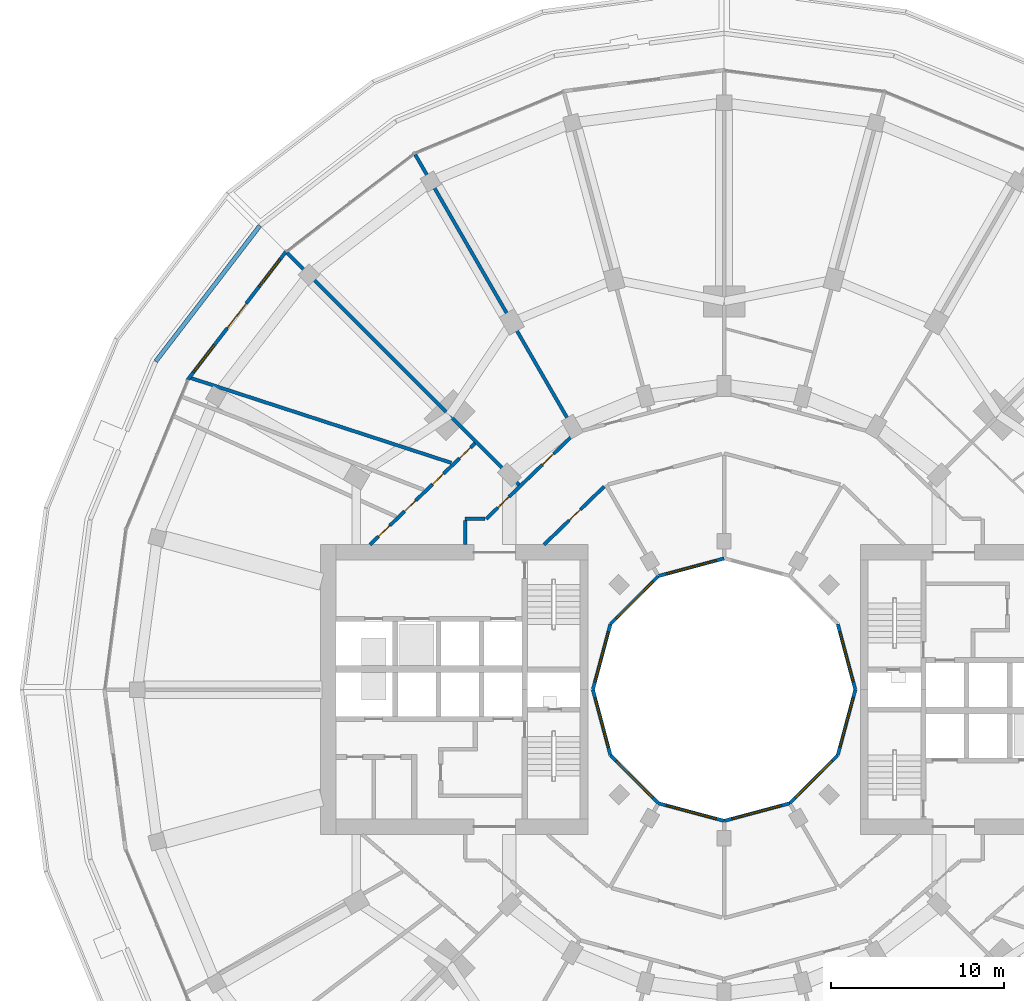
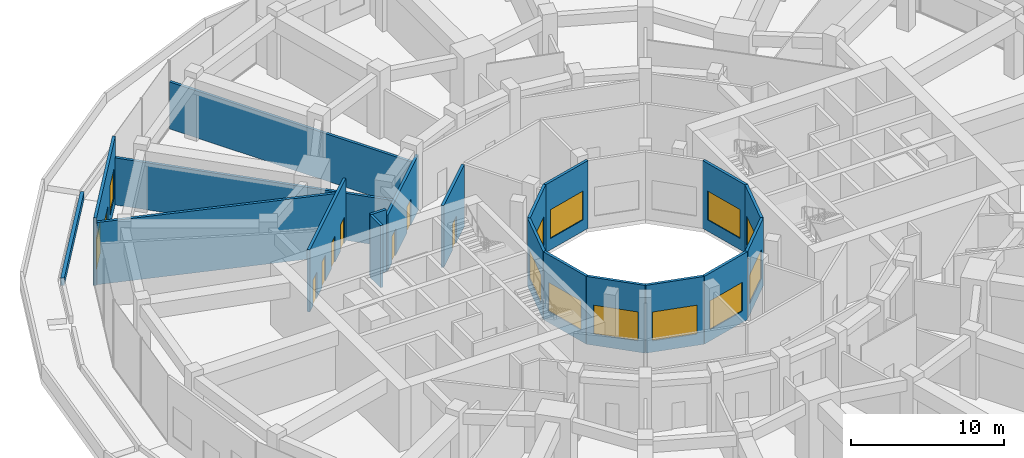
# One storey, part 20 of 26: 20 walls, 12 windows, 8 doors, 20 openings.
"""IFC4 building model written with IfcOpenShell, lengths in metres."""

from ifc_helpers import new_model, si_unit, direction, frame, frame_2d, origin, place, context, subcontext, project, spatial, rectangle, extrude, material, layer, layer_set, type_object, element, fill, save


model = new_model("IFC4")

# Units and contexts
model_context = context("Model", 3, precision=1e-05, world=origin(), true_north=direction((0.0, 1.0)))
body_context = subcontext(model_context, "Body", "Model", "MODEL_VIEW")
ifc_project = project(units=[si_unit("LENGTHUNIT", "METRE"), si_unit("AREAUNIT", "SQUARE_METRE"), si_unit("VOLUMEUNIT", "CUBIC_METRE"), si_unit("PLANEANGLEUNIT", "RADIAN"), si_unit("MASSUNIT", "GRAM", prefix="KILO")], contexts=[model_context])

# Site, building, storey
site_placement = place(None, origin())
site = spatial("IfcSite", under=ifc_project, at=site_placement, CompositionType="ELEMENT")
building_placement = place(site_placement, origin())
building = spatial("IfcBuilding", under=site, at=building_placement, Name="Torre Brocal", CompositionType="ELEMENT")
storey_placement = place(building_placement, frame((0.0, 0.0, 12.39990234375)))
storey = spatial("IfcBuildingStorey", under=building, at=storey_placement, Name="L02", CompositionType="ELEMENT", Elevation=12.39990234375)

# Wall, openings, windows, door
ifc_material_1 = material(Name="Concrete C40", Category="concrete")
ifc_layer_1 = layer(ifc_material_1, 0.199951171875)
ifc_layer_set_1 = layer_set([ifc_layer_1], Name="Concrete C40")
wall_type_1 = type_object("IfcWallType", Name="EXTERNAL WALL 200", PredefinedType="NOTDEFINED", material=ifc_layer_set_1)
wall_1_placement = place(storey_placement, frame((54.615478515625, 100.384521484375, 0.0), z_axis=(0.0, 0.0, 1.0), x_axis=(-0.608758541676, -0.793355555811, 0.0)))
wall_1 = element("IfcWall", 1, at=wall_1_placement, inside=storey, type_object=wall_type_1, Name="EXTERNAL WALL", PredefinedType="NOTDEFINED", context=body_context, shape_type="SweptSolid", body=[
    extrude(rectangle(XDim=9.37158203125, YDim=0.199951171875, at=frame_2d((4.685791015625, 0.0))), origin(), (0.0, 0.0, 1.0), 5.400146484375),
])
opening_1_placement = place(wall_1_placement, frame((0.56201171875, 0.0, 0.89990234375)))
opening_1 = element("IfcOpeningElement", 2, at=opening_1_placement, cuts=wall_1, Name="Opening W2", PredefinedType="OPENING", context=body_context, shape_type="SweptSolid", body=[
    extrude(rectangle(XDim=2.0, YDim=2.39990234375, at=frame_2d((1.0, 1.199951171875))), frame((0.0, 0.10986328125, 0.0), z_axis=(0.0, -1.0, 0.0), x_axis=(1.0, 0.0, 0.0)), (0.0, 0.0, 1.0), 0.219970703125),
])
opening_2_placement = place(wall_1_placement, frame((3.785888671875, 0.0, 0.0)))
opening_2 = element("IfcOpeningElement", 3, at=opening_2_placement, cuts=wall_1, Name="Opening L02-E04", PredefinedType="OPENING", context=body_context, shape_type="SweptSolid", body=[
    extrude(rectangle(XDim=1.800048828125, YDim=2.39990234375, at=frame_2d((0.89990234375, 1.199951171875))), frame((0.0, 0.10986328125, 0.0), z_axis=(0.0, -1.0, 0.0), x_axis=(1.0, 0.0, 0.0)), (0.0, 0.0, 1.0), 0.219970703125),
])
opening_3_placement = place(wall_1_placement, frame((6.8095703125, 0.0, 0.89990234375)))
opening_3 = element("IfcOpeningElement", 4, at=opening_3_placement, cuts=wall_1, Name="Opening W2", PredefinedType="OPENING", context=body_context, shape_type="SweptSolid", body=[
    extrude(rectangle(XDim=2.0, YDim=2.39990234375, at=frame_2d((1.0, 1.199951171875))), frame((0.0, 0.10986328125, 0.0), z_axis=(0.0, -1.0, 0.0), x_axis=(1.0, 0.0, 0.0)), (0.0, 0.0, 1.0), 0.219970703125),
])
ifc_material_2 = material(Name="Aluminium and glass", Category="aluminium")
window_type_1 = type_object("IfcWindowType", Name="PODIUM WINDOW 2000X2400", PartitioningType="SINGLE_PANEL", PredefinedType="WINDOW", material=ifc_material_2)
window_1_placement = place(opening_1_placement, origin())
window_1 = element("IfcWindow", 5, at=window_1_placement, inside=storey, type_object=window_type_1, Name="PODIUM WINDOW 2000X2400", OverallHeight=2.39990234375, OverallWidth=2.0, PartitioningType="SINGLE_PANEL", PredefinedType="WINDOW", context=body_context, shape_type="SweptSolid", body=[
    extrude(rectangle(XDim=2.0, YDim=2.39990234375, at=frame_2d((1.0, 1.199951171875))), frame((0.0, 0.030029296875, 0.0), z_axis=(0.0, -1.0, 0.0), x_axis=(1.0, 0.0, 0.0)), (0.0, 0.0, 1.0), 0.06005859375),
])
fill(opening_1, window_1)
window_2_placement = place(opening_3_placement, origin())
window_2 = element("IfcWindow", 6, at=window_2_placement, inside=storey, type_object=window_type_1, Name="PODIUM WINDOW 2000X2400", OverallHeight=2.39990234375, OverallWidth=2.0, PartitioningType="SINGLE_PANEL", PredefinedType="WINDOW", context=body_context, shape_type="SweptSolid", body=[
    extrude(rectangle(XDim=2.0, YDim=2.39990234375, at=frame_2d((1.0, 1.199951171875))), frame((0.0, 0.030029296875, 0.0), z_axis=(0.0, -1.0, 0.0), x_axis=(1.0, 0.0, 0.0)), (0.0, 0.0, 1.0), 0.06005859375),
])
fill(opening_3, window_2)
ifc_material_3 = material(Name="Aluminium and glass", Category="aluminium")
door_type_1 = type_object("IfcDoorType", Name="TERRACE DOUBLE DOOR 1800X2400", OperationType="DOUBLE_DOOR_SINGLE_SWING", PredefinedType="DOOR", material=ifc_material_3)
door_1_placement = place(opening_2_placement, frame((1.800048828125, 0.0, 0.0), z_axis=(0.0, 0.0, 1.0), x_axis=(-1.0, 0.0, 0.0)))
door_1 = element("IfcDoor", 7, at=door_1_placement, inside=storey, type_object=door_type_1, Name="DOOR L02-E04", OperationType="DOUBLE_DOOR_SINGLE_SWING", OverallHeight=2.39990234375, OverallWidth=1.800048828125, PredefinedType="DOOR", context=body_context, shape_type="SweptSolid", body=[
    extrude(rectangle(XDim=1.800048828125, YDim=2.39990234375, at=frame_2d((0.89990234375, 1.199951171875))), frame((0.0, 0.02490234375, 0.0), z_axis=(0.0, -1.0, 0.0), x_axis=(1.0, 0.0, 0.0)), (0.0, 0.0, 1.0), 0.050048828125),
])
fill(opening_2, door_1)

# Wall
ifc_material_4 = material(Name="Gypsum board", Category="Gypsum")
ifc_layer_2 = layer(ifc_material_4, 0.199951171875)
ifc_layer_set_2 = layer_set([ifc_layer_2], Name="Gypsum board")
wall_type_2 = type_object("IfcWallType", Name="PARTITION 200 EI60", PredefinedType="PARTITIONING", material=ifc_layer_set_2)
wall_2_placement = place(storey_placement, frame((49.063232421875, 93.069091796875, 0.0), z_axis=(0.0, 0.0, 1.0), x_axis=(0.950854727446, -0.309637348026, 0.0)))
element("IfcWall", 8, at=wall_2_placement, inside=storey, type_object=wall_type_2, Name="PLANT ROOM WALL", PredefinedType="PARTITIONING", context=body_context, shape_type="SweptSolid", body=[
    extrude(rectangle(XDim=15.91064453125, YDim=0.199951171875, at=frame_2d((7.955322265625, 0.0))), origin(), (0.0, 0.0, 1.0), 4.9501953125),
])

# Wall, openings, doors
wall_3_placement = place(storey_placement, frame((59.47998046875, 83.39990234375, 0.0), z_axis=(0.0, 0.0, 1.0), x_axis=(0.719688438314, 0.694297163869, 0.0)))
wall_3 = element("IfcWall", 9, at=wall_3_placement, inside=storey, type_object=wall_type_2, Name="PLANT ROOM WALL", PredefinedType="PARTITIONING", context=body_context, shape_type="SweptSolid", body=[
    extrude(rectangle(XDim=8.470947265625, YDim=0.199951171875, at=frame_2d((4.2353515625, 0.0))), origin(), (0.0, 0.0, 1.0), 4.9501953125),
])
opening_4_placement = place(wall_3_placement, frame((7.20361328125, 0.0, 0.0)))
opening_4 = element("IfcOpeningElement", 10, at=opening_4_placement, cuts=wall_3, Name="Opening PD2-D12", PredefinedType="OPENING", context=body_context, shape_type="SweptSolid", body=[
    extrude(rectangle(XDim=0.89990234375, YDim=2.10009765625, at=frame_2d((0.449951171875, 1.050048828125))), frame((0.0, 0.10986328125, 0.0), z_axis=(0.0, -1.0, 0.0), x_axis=(1.0, 0.0, 0.0)), (0.0, 0.0, 1.0), 0.219970703125),
])
opening_5_placement = place(wall_3_placement, frame((5.031982421875, 0.0, 0.0)))
opening_5 = element("IfcOpeningElement", 11, at=opening_5_placement, cuts=wall_3, Name="Opening PD2-D13", PredefinedType="OPENING", context=body_context, shape_type="SweptSolid", body=[
    extrude(rectangle(XDim=0.89990234375, YDim=2.10009765625, at=frame_2d((0.449951171875, 1.050048828125))), frame((0.0, 0.10986328125, 0.0), z_axis=(0.0, -1.0, 0.0), x_axis=(1.0, 0.0, 0.0)), (0.0, 0.0, 1.0), 0.219970703125),
])
opening_6_placement = place(wall_3_placement, frame((2.786865234375, 0.0, 0.0)))
opening_6 = element("IfcOpeningElement", 12, at=opening_6_placement, cuts=wall_3, Name="Opening PD2-D14", PredefinedType="OPENING", context=body_context, shape_type="SweptSolid", body=[
    extrude(rectangle(XDim=0.89990234375, YDim=2.10009765625, at=frame_2d((0.449951171875, 1.050048828125))), frame((0.0, 0.10986328125, 0.0), z_axis=(0.0, -1.0, 0.0), x_axis=(1.0, 0.0, 0.0)), (0.0, 0.0, 1.0), 0.219970703125),
])
opening_7_placement = place(wall_3_placement, frame((0.69384765625, 0.0, 0.0)))
opening_7 = element("IfcOpeningElement", 13, at=opening_7_placement, cuts=wall_3, Name="Opening PD2-D15", PredefinedType="OPENING", context=body_context, shape_type="SweptSolid", body=[
    extrude(rectangle(XDim=0.89990234375, YDim=2.10009765625, at=frame_2d((0.449951171875, 1.050048828125))), frame((0.0, 0.10986328125, 0.0), z_axis=(0.0, -1.0, 0.0), x_axis=(1.0, 0.0, 0.0)), (0.0, 0.0, 1.0), 0.219970703125),
])
ifc_material_5 = material(Name="Timber", Category="wood")
door_type_2 = type_object("IfcDoorType", Name="ROOM DOOR 900X2100", OperationType="SINGLE_SWING_LEFT", PredefinedType="DOOR", material=ifc_material_5)
door_2_placement = place(opening_4_placement, origin())
door_2 = element("IfcDoor", 14, at=door_2_placement, inside=storey, type_object=door_type_2, Name="PD2-D12", OperationType="SINGLE_SWING_RIGHT", OverallHeight=2.10009765625, OverallWidth=0.89990234375, PredefinedType="DOOR", context=body_context, shape_type="SweptSolid", body=[
    extrude(rectangle(XDim=0.89990234375, YDim=2.10009765625, at=frame_2d((0.449951171875, 1.050048828125))), frame((0.0, 0.02490234375, 0.0), z_axis=(0.0, -1.0, 0.0), x_axis=(1.0, 0.0, 0.0)), (0.0, 0.0, 1.0), 0.050048828125),
])
fill(opening_4, door_2)
door_3_placement = place(opening_5_placement, origin())
door_3 = element("IfcDoor", 15, at=door_3_placement, inside=storey, type_object=door_type_2, Name="PD2-D13", OperationType="SINGLE_SWING_RIGHT", OverallHeight=2.10009765625, OverallWidth=0.89990234375, PredefinedType="DOOR", context=body_context, shape_type="SweptSolid", body=[
    extrude(rectangle(XDim=0.89990234375, YDim=2.10009765625, at=frame_2d((0.449951171875, 1.050048828125))), frame((0.0, 0.02490234375, 0.0), z_axis=(0.0, -1.0, 0.0), x_axis=(1.0, 0.0, 0.0)), (0.0, 0.0, 1.0), 0.050048828125),
])
fill(opening_5, door_3)
door_4_placement = place(opening_6_placement, origin())
door_4 = element("IfcDoor", 16, at=door_4_placement, inside=storey, type_object=door_type_2, Name="PD2-D14", OperationType="SINGLE_SWING_RIGHT", OverallHeight=2.10009765625, OverallWidth=0.89990234375, PredefinedType="DOOR", context=body_context, shape_type="SweptSolid", body=[
    extrude(rectangle(XDim=0.89990234375, YDim=2.10009765625, at=frame_2d((0.449951171875, 1.050048828125))), frame((0.0, 0.02490234375, 0.0), z_axis=(0.0, -1.0, 0.0), x_axis=(1.0, 0.0, 0.0)), (0.0, 0.0, 1.0), 0.050048828125),
])
fill(opening_6, door_4)
door_5_placement = place(opening_7_placement, origin())
door_5 = element("IfcDoor", 17, at=door_5_placement, inside=storey, type_object=door_type_2, Name="PD2-D15", OperationType="SINGLE_SWING_RIGHT", OverallHeight=2.10009765625, OverallWidth=0.89990234375, PredefinedType="DOOR", context=body_context, shape_type="SweptSolid", body=[
    extrude(rectangle(XDim=0.89990234375, YDim=2.10009765625, at=frame_2d((0.449951171875, 1.050048828125))), frame((0.0, 0.02490234375, 0.0), z_axis=(0.0, -1.0, 0.0), x_axis=(1.0, 0.0, 0.0)), (0.0, 0.0, 1.0), 0.050048828125),
])
fill(opening_7, door_5)

# Walls
wall_4_placement = place(storey_placement, frame((65.0, 83.40087890625, 0.0), z_axis=(0.0, 0.0, 1.0), x_axis=(0.0, 1.0, 0.0)))
element("IfcWall", 18, at=wall_4_placement, inside=storey, type_object=wall_type_2, Name="CORRIDOR WALL", PredefinedType="PARTITIONING", context=body_context, shape_type="SweptSolid", body=[
    extrude(rectangle(XDim=1.399169921875, YDim=0.199951171875, at=frame_2d((0.69970703125, 0.0))), origin(), (0.0, 0.0, 1.0), 4.9501953125),
])
wall_5_placement = place(storey_placement, frame((65.0, 84.89990234375, 0.0), z_axis=(0.0, 0.0, 1.0), x_axis=(1.0, 0.0, 0.0)))
element("IfcWall", 19, at=wall_5_placement, inside=storey, type_object=wall_type_2, Name="CORRIDOR WALL", PredefinedType="PARTITIONING", context=body_context, shape_type="SweptSolid", body=[
    extrude(rectangle(XDim=1.159912109375, YDim=0.199951171875, at=frame_2d((0.580078125, 0.0))), origin(), (0.0, 0.0, 1.0), 4.9501953125),
])

# Wall, opening, door
wall_6_placement = place(storey_placement, frame((69.56298828125, 83.39990234375, 0.0), z_axis=(0.0, 0.0, 1.0), x_axis=(0.719454254864, 0.694539829785, 0.0)))
wall_6 = element("IfcWall", 20, at=wall_6_placement, inside=storey, type_object=wall_type_2, Name="CORRIDOR WALL", PredefinedType="PARTITIONING", context=body_context, shape_type="SweptSolid", body=[
    extrude(rectangle(XDim=4.8603515625, YDim=0.199951171875, at=frame_2d((2.43017578125, 0.0))), origin(), (0.0, 0.0, 1.0), 4.9501953125),
])
opening_8_placement = place(wall_6_placement, frame((2.03515625, 0.0, 0.0)))
opening_8 = element("IfcOpeningElement", 21, at=opening_8_placement, cuts=wall_6, Name="Opening PD2-D20", PredefinedType="OPENING", context=body_context, shape_type="SweptSolid", body=[
    extrude(rectangle(XDim=0.89990234375, YDim=2.10009765625, at=frame_2d((0.449951171875, 1.050048828125))), frame((0.0, 0.10986328125, 0.0), z_axis=(0.0, -1.0, 0.0), x_axis=(1.0, 0.0, 0.0)), (0.0, 0.0, 1.0), 0.219970703125),
])
door_6_placement = place(opening_8_placement, frame((0.89990234375, 0.0, 0.0), z_axis=(0.0, 0.0, 1.0), x_axis=(-1.0, 0.0, 0.0)))
door_6 = element("IfcDoor", 22, at=door_6_placement, inside=storey, type_object=door_type_2, Name="PD2-D20", OperationType="SINGLE_SWING_RIGHT", OverallHeight=2.10009765625, OverallWidth=0.89990234375, PredefinedType="DOOR", context=body_context, shape_type="SweptSolid", body=[
    extrude(rectangle(XDim=0.89990234375, YDim=2.10009765625, at=frame_2d((0.449951171875, 1.050048828125))), frame((0.0, 0.02490234375, 0.0), z_axis=(0.0, -1.0, 0.0), x_axis=(1.0, 0.0, 0.0)), (0.0, 0.0, 1.0), 0.050048828125),
])
fill(opening_8, door_6)

# Walls
ifc_material_6 = material(Name="Gypsum board", Category="Gypsum")
ifc_layer_3 = layer(ifc_material_6, 0.199951171875)
ifc_layer_set_3 = layer_set([ifc_layer_3], Name="Gypsum board")
wall_type_3 = type_object("IfcWallType", Name="PARTITION 200 EI60 UNDER BEAM 1650", PredefinedType="PARTITIONING", material=ifc_layer_set_3)
wall_7_placement = place(storey_placement, frame((54.6865234375, 100.3134765625, 0.0), z_axis=(0.0, 0.0, 1.0), x_axis=(0.707106781187, -0.707106781187, 0.0)))
element("IfcWall", 23, at=wall_7_placement, inside=storey, type_object=wall_type_3, Name="PLANT ROOM WALL", PredefinedType="PARTITIONING", context=body_context, shape_type="SweptSolid", body=[
    extrude(rectangle(XDim=18.993896484375, YDim=0.199951171875, at=frame_2d((9.4970703125, 0.0))), origin(), (0.0, 0.0, 1.0), 3.75),
])
wall_8_placement = place(storey_placement, frame((62.101806640625, 106.002685546875, 0.0), z_axis=(0.0, 0.0, 1.0), x_axis=(0.499973437523, -0.866040739095, 0.0)))
element("IfcWall", 24, at=wall_8_placement, inside=storey, type_object=wall_type_3, Name="PARTY PARTITION", PredefinedType="PARTITIONING", context=body_context, shape_type="SweptSolid", body=[
    extrude(rectangle(XDim=18.49658203125, YDim=0.199951171875, at=frame_2d((9.248291015625, 0.0))), origin(), (0.0, 0.0, 1.0), 3.75),
])

# Wall, openings, doors
ifc_material_7 = material(Name="Gypsum board", Category="Gypsum")
ifc_layer_4 = layer(ifc_material_7, 0.199951171875)
ifc_layer_set_4 = layer_set([ifc_layer_4], Name="Gypsum board")
wall_type_4 = type_object("IfcWallType", Name="PARTITION 200 EI60 UNDER BEAM 950", PredefinedType="PARTITIONING", material=ifc_layer_set_4)
wall_9_placement = place(storey_placement, frame((66.22021484375, 84.899658203125, 0.0), z_axis=(0.0, 0.0, 1.0), x_axis=(0.719621348931, 0.694366700068, 0.0)))
wall_9 = element("IfcWall", 25, at=wall_9_placement, inside=storey, type_object=wall_type_4, Name="CORRIDOR WALL", PredefinedType="PARTITIONING", context=body_context, shape_type="SweptSolid", body=[
    extrude(rectangle(XDim=7.173095703125, YDim=0.199951171875, at=frame_2d((3.58642578125, 0.0))), origin(), (0.0, 0.0, 1.0), 4.4501953125),
])
opening_9_placement = place(wall_9_placement, frame((4.5185546875, 0.0, 0.0)))
opening_9 = element("IfcOpeningElement", 26, at=opening_9_placement, cuts=wall_9, Name="Opening PD2-D11", PredefinedType="OPENING", context=body_context, shape_type="SweptSolid", body=[
    extrude(rectangle(XDim=0.89990234375, YDim=2.10009765625, at=frame_2d((0.449951171875, 1.050048828125))), frame((0.0, 0.10986328125, 0.0), z_axis=(0.0, -1.0, 0.0), x_axis=(1.0, 0.0, 0.0)), (0.0, 0.0, 1.0), 0.219970703125),
])
opening_10_placement = place(wall_9_placement, frame((0.931884765625, 0.0, 0.0)))
opening_10 = element("IfcOpeningElement", 27, at=opening_10_placement, cuts=wall_9, Name="Opening PD2-D16", PredefinedType="OPENING", context=body_context, shape_type="SweptSolid", body=[
    extrude(rectangle(XDim=0.89990234375, YDim=2.10009765625, at=frame_2d((0.449951171875, 1.050048828125))), frame((0.0, 0.10986328125, 0.0), z_axis=(0.0, -1.0, 0.0), x_axis=(1.0, 0.0, 0.0)), (0.0, 0.0, 1.0), 0.219970703125),
])
door_7_placement = place(opening_9_placement, origin())
door_7 = element("IfcDoor", 28, at=door_7_placement, inside=storey, type_object=door_type_2, Name="PD2-D11", OperationType="SINGLE_SWING_LEFT", OverallHeight=2.10009765625, OverallWidth=0.89990234375, PredefinedType="DOOR", context=body_context, shape_type="SweptSolid", body=[
    extrude(rectangle(XDim=0.89990234375, YDim=2.10009765625, at=frame_2d((0.449951171875, 1.050048828125))), frame((0.0, 0.02490234375, 0.0), z_axis=(0.0, -1.0, 0.0), x_axis=(1.0, 0.0, 0.0)), (0.0, 0.0, 1.0), 0.050048828125),
])
fill(opening_9, door_7)
door_8_placement = place(opening_10_placement, origin())
door_8 = element("IfcDoor", 29, at=door_8_placement, inside=storey, type_object=door_type_2, Name="PD2-D16", OperationType="SINGLE_SWING_RIGHT", OverallHeight=2.10009765625, OverallWidth=0.89990234375, PredefinedType="DOOR", context=body_context, shape_type="SweptSolid", body=[
    extrude(rectangle(XDim=0.89990234375, YDim=2.10009765625, at=frame_2d((0.449951171875, 1.050048828125))), frame((0.0, 0.02490234375, 0.0), z_axis=(0.0, -1.0, 0.0), x_axis=(1.0, 0.0, 0.0)), (0.0, 0.0, 1.0), 0.050048828125),
])
fill(opening_10, door_8)

# Wall
ifc_material_8 = material(Name="Concrete C35", Category="concrete")
ifc_layer_5 = layer(ifc_material_8, 0.25)
ifc_layer_set_5 = layer_set([ifc_layer_5], Name="Concrete C35")
wall_type_5 = type_object("IfcWallType", Name="PLANTER WALL 250 THICK 600 HIGH", PredefinedType="USERDEFINED", material=ifc_layer_set_5)
wall_10_placement = place(storey_placement, frame((47.072998046875, 94.029296875, 0.0), z_axis=(0.0, 0.0, 1.0), x_axis=(0.608763221788, 0.79335196464, 0.0)))
element("IfcWall", 30, at=wall_10_placement, inside=storey, type_object=wall_type_5, Name="PLANTER", ObjectType="PLANTER", PredefinedType="USERDEFINED", context=body_context, shape_type="SweptSolid", body=[
    extrude(rectangle(XDim=9.90380859375, YDim=0.25, at=frame_2d((4.951904296875, 0.0))), origin(), (0.0, 0.0, 1.0), 0.60009765625),
])

# Wall, opening, window
ifc_material_9 = material(Name="Concrete C40", Category="concrete")
ifc_layer_6 = layer(ifc_material_9, 0.199951171875)
ifc_layer_set_6 = layer_set([ifc_layer_6], Name="Concrete C40")
wall_type_6 = type_object("IfcWallType", Name="WELL FACADE WALL 200", PredefinedType="NOTDEFINED", material=ifc_layer_set_6)
wall_11_placement = place(storey_placement, frame((87.603515625, 75.0, 0.0), z_axis=(0.0, 0.0, 1.0), x_axis=(-0.258789828301, 0.965933654434, 0.0)))
wall_11 = element("IfcWall", 31, at=wall_11_placement, inside=storey, type_object=wall_type_6, Name="WELL FACADE WALL", PredefinedType="NOTDEFINED", context=body_context, shape_type="SweptSolid", body=[
    extrude(rectangle(XDim=3.935791015625, YDim=0.199951171875, at=frame_2d((1.9677734375, 0.0))), origin(), (0.0, 0.0, 1.0), 5.400146484375),
])
opening_11_placement = place(wall_11_placement, frame((0.468017578125, 0.0, 0.89990234375)))
opening_11 = element("IfcOpeningElement", 32, at=opening_11_placement, cuts=wall_11, Name="Opening W1", PredefinedType="OPENING", context=body_context, shape_type="SweptSolid", body=[
    extrude(rectangle(XDim=3.0, YDim=2.300048828125, at=frame_2d((1.5, 1.14990234375))), frame((0.0, 0.10986328125, 0.0), z_axis=(0.0, -1.0, 0.0), x_axis=(1.0, 0.0, 0.0)), (0.0, 0.0, 1.0), 0.219970703125),
])
ifc_material_10 = material(Name="Aluminium and glass", Category="aluminium")
window_type_2 = type_object("IfcWindowType", Name="WELL WINDOW 3000X2300", PartitioningType="SINGLE_PANEL", PredefinedType="WINDOW", material=ifc_material_10)
window_3_placement = place(opening_11_placement, origin())
window_3 = element("IfcWindow", 33, at=window_3_placement, inside=storey, type_object=window_type_2, Name="WELL WINDOW 3000X2300", OverallHeight=2.300048828125, OverallWidth=3.0, PartitioningType="SINGLE_PANEL", PredefinedType="WINDOW", context=body_context, shape_type="SweptSolid", body=[
    extrude(rectangle(XDim=3.0, YDim=2.300048828125, at=frame_2d((1.5, 1.14990234375))), frame((0.0, 0.030029296875, 0.0), z_axis=(0.0, -1.0, 0.0), x_axis=(1.0, 0.0, 0.0)), (0.0, 0.0, 1.0), 0.06005859375),
])
fill(opening_11, window_3)

wall_12_placement = place(storey_placement, frame((80.0, 82.603515625, 0.0), z_axis=(0.0, 0.0, 1.0), x_axis=(-0.965933654434, -0.258789828301, 0.0)))
wall_12 = element("IfcWall", 34, at=wall_12_placement, inside=storey, type_object=wall_type_6, Name="WELL FACADE WALL", PredefinedType="NOTDEFINED", context=body_context, shape_type="SweptSolid", body=[
    extrude(rectangle(XDim=3.935791015625, YDim=0.199951171875, at=frame_2d((1.9677734375, 0.0))), origin(), (0.0, 0.0, 1.0), 5.400146484375),
])
opening_12_placement = place(wall_12_placement, frame((0.468017578125, 0.0, 0.89990234375)))
opening_12 = element("IfcOpeningElement", 35, at=opening_12_placement, cuts=wall_12, Name="Opening W1", PredefinedType="OPENING", context=body_context, shape_type="SweptSolid", body=[
    extrude(rectangle(XDim=3.0, YDim=2.300048828125, at=frame_2d((1.5, 1.14990234375))), frame((0.0, 0.10986328125, 0.0), z_axis=(0.0, -1.0, 0.0), x_axis=(1.0, 0.0, 0.0)), (0.0, 0.0, 1.0), 0.219970703125),
])
window_4_placement = place(opening_12_placement, origin())
window_4 = element("IfcWindow", 36, at=window_4_placement, inside=storey, type_object=window_type_2, Name="WELL WINDOW 3000X2300", OverallHeight=2.300048828125, OverallWidth=3.0, PartitioningType="SINGLE_PANEL", PredefinedType="WINDOW", context=body_context, shape_type="SweptSolid", body=[
    extrude(rectangle(XDim=3.0, YDim=2.300048828125, at=frame_2d((1.5, 1.14990234375))), frame((0.0, 0.030029296875, 0.0), z_axis=(0.0, -1.0, 0.0), x_axis=(1.0, 0.0, 0.0)), (0.0, 0.0, 1.0), 0.06005859375),
])
fill(opening_12, window_4)

wall_13_placement = place(storey_placement, frame((76.1982421875, 81.5849609375, 0.0), z_axis=(0.0, 0.0, 1.0), x_axis=(-0.707106781187, -0.707106781187, 0.0)))
wall_13 = element("IfcWall", 37, at=wall_13_placement, inside=storey, type_object=wall_type_6, Name="WELL FACADE WALL", PredefinedType="NOTDEFINED", context=body_context, shape_type="SweptSolid", body=[
    extrude(rectangle(XDim=3.93603515625, YDim=0.199951171875, at=frame_2d((1.968017578125, 0.0))), origin(), (0.0, 0.0, 1.0), 5.400146484375),
])
opening_13_placement = place(wall_13_placement, frame((0.468017578125, 0.0, 0.89990234375)))
opening_13 = element("IfcOpeningElement", 38, at=opening_13_placement, cuts=wall_13, Name="Opening W1", PredefinedType="OPENING", context=body_context, shape_type="SweptSolid", body=[
    extrude(rectangle(XDim=3.0, YDim=2.300048828125, at=frame_2d((1.5, 1.14990234375))), frame((0.0, 0.10986328125, 0.0), z_axis=(0.0, -1.0, 0.0), x_axis=(1.0, 0.0, 0.0)), (0.0, 0.0, 1.0), 0.219970703125),
])
window_5_placement = place(opening_13_placement, origin())
window_5 = element("IfcWindow", 39, at=window_5_placement, inside=storey, type_object=window_type_2, Name="WELL WINDOW 3000X2300", OverallHeight=2.300048828125, OverallWidth=3.0, PartitioningType="SINGLE_PANEL", PredefinedType="WINDOW", context=body_context, shape_type="SweptSolid", body=[
    extrude(rectangle(XDim=3.0, YDim=2.300048828125, at=frame_2d((1.5, 1.14990234375))), frame((0.0, 0.030029296875, 0.0), z_axis=(0.0, -1.0, 0.0), x_axis=(1.0, 0.0, 0.0)), (0.0, 0.0, 1.0), 0.06005859375),
])
fill(opening_13, window_5)

wall_14_placement = place(storey_placement, frame((73.4150390625, 78.8017578125, 0.0), z_axis=(0.0, 0.0, 1.0), x_axis=(-0.258789828301, -0.965933654434, 0.0)))
wall_14 = element("IfcWall", 40, at=wall_14_placement, inside=storey, type_object=wall_type_6, Name="WELL FACADE WALL", PredefinedType="NOTDEFINED", context=body_context, shape_type="SweptSolid", body=[
    extrude(rectangle(XDim=3.935791015625, YDim=0.199951171875, at=frame_2d((1.9677734375, 0.0))), origin(), (0.0, 0.0, 1.0), 5.400146484375),
])
opening_14_placement = place(wall_14_placement, frame((0.468017578125, 0.0, 0.89990234375)))
opening_14 = element("IfcOpeningElement", 41, at=opening_14_placement, cuts=wall_14, Name="Opening W1", PredefinedType="OPENING", context=body_context, shape_type="SweptSolid", body=[
    extrude(rectangle(XDim=3.0, YDim=2.300048828125, at=frame_2d((1.5, 1.14990234375))), frame((0.0, 0.10986328125, 0.0), z_axis=(0.0, -1.0, 0.0), x_axis=(1.0, 0.0, 0.0)), (0.0, 0.0, 1.0), 0.219970703125),
])
window_6_placement = place(opening_14_placement, origin())
window_6 = element("IfcWindow", 42, at=window_6_placement, inside=storey, type_object=window_type_2, Name="WELL WINDOW 3000X2300", OverallHeight=2.300048828125, OverallWidth=3.0, PartitioningType="SINGLE_PANEL", PredefinedType="WINDOW", context=body_context, shape_type="SweptSolid", body=[
    extrude(rectangle(XDim=3.0, YDim=2.300048828125, at=frame_2d((1.5, 1.14990234375))), frame((0.0, 0.030029296875, 0.0), z_axis=(0.0, -1.0, 0.0), x_axis=(1.0, 0.0, 0.0)), (0.0, 0.0, 1.0), 0.06005859375),
])
fill(opening_14, window_6)

wall_15_placement = place(storey_placement, frame((72.396484375, 75.0, 0.0), z_axis=(0.0, 0.0, 1.0), x_axis=(0.258789828301, -0.965933654434, 0.0)))
wall_15 = element("IfcWall", 43, at=wall_15_placement, inside=storey, type_object=wall_type_6, Name="WELL FACADE WALL", PredefinedType="NOTDEFINED", context=body_context, shape_type="SweptSolid", body=[
    extrude(rectangle(XDim=3.935791015625, YDim=0.199951171875, at=frame_2d((1.9677734375, 0.0))), origin(), (0.0, 0.0, 1.0), 5.400146484375),
])
opening_15_placement = place(wall_15_placement, frame((0.468017578125, 0.0, 0.89990234375)))
opening_15 = element("IfcOpeningElement", 44, at=opening_15_placement, cuts=wall_15, Name="Opening W1", PredefinedType="OPENING", context=body_context, shape_type="SweptSolid", body=[
    extrude(rectangle(XDim=3.0, YDim=2.300048828125, at=frame_2d((1.5, 1.14990234375))), frame((0.0, 0.10986328125, 0.0), z_axis=(0.0, -1.0, 0.0), x_axis=(1.0, 0.0, 0.0)), (0.0, 0.0, 1.0), 0.219970703125),
])
window_7_placement = place(opening_15_placement, origin())
window_7 = element("IfcWindow", 45, at=window_7_placement, inside=storey, type_object=window_type_2, Name="WELL WINDOW 3000X2300", OverallHeight=2.300048828125, OverallWidth=3.0, PartitioningType="SINGLE_PANEL", PredefinedType="WINDOW", context=body_context, shape_type="SweptSolid", body=[
    extrude(rectangle(XDim=3.0, YDim=2.300048828125, at=frame_2d((1.5, 1.14990234375))), frame((0.0, 0.030029296875, 0.0), z_axis=(0.0, -1.0, 0.0), x_axis=(1.0, 0.0, 0.0)), (0.0, 0.0, 1.0), 0.06005859375),
])
fill(opening_15, window_7)

wall_16_placement = place(storey_placement, frame((73.4150390625, 71.1982421875, 0.0), z_axis=(0.0, 0.0, 1.0), x_axis=(0.707106781187, -0.707106781187, 0.0)))
wall_16 = element("IfcWall", 46, at=wall_16_placement, inside=storey, type_object=wall_type_6, Name="WELL FACADE WALL", PredefinedType="NOTDEFINED", context=body_context, shape_type="SweptSolid", body=[
    extrude(rectangle(XDim=3.93603515625, YDim=0.199951171875, at=frame_2d((1.968017578125, 0.0))), origin(), (0.0, 0.0, 1.0), 5.400146484375),
])
opening_16_placement = place(wall_16_placement, frame((0.468017578125, 0.0, 0.89990234375)))
opening_16 = element("IfcOpeningElement", 47, at=opening_16_placement, cuts=wall_16, Name="Opening W1", PredefinedType="OPENING", context=body_context, shape_type="SweptSolid", body=[
    extrude(rectangle(XDim=3.0, YDim=2.300048828125, at=frame_2d((1.5, 1.14990234375))), frame((0.0, 0.10986328125, 0.0), z_axis=(0.0, -1.0, 0.0), x_axis=(1.0, 0.0, 0.0)), (0.0, 0.0, 1.0), 0.219970703125),
])
window_8_placement = place(opening_16_placement, origin())
window_8 = element("IfcWindow", 48, at=window_8_placement, inside=storey, type_object=window_type_2, Name="WELL WINDOW 3000X2300", OverallHeight=2.300048828125, OverallWidth=3.0, PartitioningType="SINGLE_PANEL", PredefinedType="WINDOW", context=body_context, shape_type="SweptSolid", body=[
    extrude(rectangle(XDim=3.0, YDim=2.300048828125, at=frame_2d((1.5, 1.14990234375))), frame((0.0, 0.030029296875, 0.0), z_axis=(0.0, -1.0, 0.0), x_axis=(1.0, 0.0, 0.0)), (0.0, 0.0, 1.0), 0.06005859375),
])
fill(opening_16, window_8)

wall_17_placement = place(storey_placement, frame((76.1982421875, 68.4150390625, 0.0), z_axis=(0.0, 0.0, 1.0), x_axis=(0.965933654434, -0.258789828301, 0.0)))
wall_17 = element("IfcWall", 49, at=wall_17_placement, inside=storey, type_object=wall_type_6, Name="WELL FACADE WALL", PredefinedType="NOTDEFINED", context=body_context, shape_type="SweptSolid", body=[
    extrude(rectangle(XDim=3.935791015625, YDim=0.199951171875, at=frame_2d((1.9677734375, 0.0))), origin(), (0.0, 0.0, 1.0), 5.400146484375),
])
opening_17_placement = place(wall_17_placement, frame((0.468017578125, 0.0, 0.89990234375)))
opening_17 = element("IfcOpeningElement", 50, at=opening_17_placement, cuts=wall_17, Name="Opening W1", PredefinedType="OPENING", context=body_context, shape_type="SweptSolid", body=[
    extrude(rectangle(XDim=3.0, YDim=2.300048828125, at=frame_2d((1.5, 1.14990234375))), frame((0.0, 0.10986328125, 0.0), z_axis=(0.0, -1.0, 0.0), x_axis=(1.0, 0.0, 0.0)), (0.0, 0.0, 1.0), 0.219970703125),
])
window_9_placement = place(opening_17_placement, origin())
window_9 = element("IfcWindow", 51, at=window_9_placement, inside=storey, type_object=window_type_2, Name="WELL WINDOW 3000X2300", OverallHeight=2.300048828125, OverallWidth=3.0, PartitioningType="SINGLE_PANEL", PredefinedType="WINDOW", context=body_context, shape_type="SweptSolid", body=[
    extrude(rectangle(XDim=3.0, YDim=2.300048828125, at=frame_2d((1.5, 1.14990234375))), frame((0.0, 0.030029296875, 0.0), z_axis=(0.0, -1.0, 0.0), x_axis=(1.0, 0.0, 0.0)), (0.0, 0.0, 1.0), 0.06005859375),
])
fill(opening_17, window_9)

wall_18_placement = place(storey_placement, frame((80.0, 67.396484375, 0.0), z_axis=(0.0, 0.0, 1.0), x_axis=(0.965933654434, 0.258789828301, 0.0)))
wall_18 = element("IfcWall", 52, at=wall_18_placement, inside=storey, type_object=wall_type_6, Name="WELL FACADE WALL", PredefinedType="NOTDEFINED", context=body_context, shape_type="SweptSolid", body=[
    extrude(rectangle(XDim=3.935791015625, YDim=0.199951171875, at=frame_2d((1.9677734375, 0.0))), origin(), (0.0, 0.0, 1.0), 5.400146484375),
])
opening_18_placement = place(wall_18_placement, frame((0.468017578125, 0.0, 0.89990234375)))
opening_18 = element("IfcOpeningElement", 53, at=opening_18_placement, cuts=wall_18, Name="Opening W1", PredefinedType="OPENING", context=body_context, shape_type="SweptSolid", body=[
    extrude(rectangle(XDim=3.0, YDim=2.300048828125, at=frame_2d((1.5, 1.14990234375))), frame((0.0, 0.10986328125, 0.0), z_axis=(0.0, -1.0, 0.0), x_axis=(1.0, 0.0, 0.0)), (0.0, 0.0, 1.0), 0.219970703125),
])
window_10_placement = place(opening_18_placement, origin())
window_10 = element("IfcWindow", 54, at=window_10_placement, inside=storey, type_object=window_type_2, Name="WELL WINDOW 3000X2300", OverallHeight=2.300048828125, OverallWidth=3.0, PartitioningType="SINGLE_PANEL", PredefinedType="WINDOW", context=body_context, shape_type="SweptSolid", body=[
    extrude(rectangle(XDim=3.0, YDim=2.300048828125, at=frame_2d((1.5, 1.14990234375))), frame((0.0, 0.030029296875, 0.0), z_axis=(0.0, -1.0, 0.0), x_axis=(1.0, 0.0, 0.0)), (0.0, 0.0, 1.0), 0.06005859375),
])
fill(opening_18, window_10)

wall_19_placement = place(storey_placement, frame((83.8017578125, 68.4150390625, 0.0), z_axis=(0.0, 0.0, 1.0), x_axis=(0.707106781187, 0.707106781187, 0.0)))
wall_19 = element("IfcWall", 55, at=wall_19_placement, inside=storey, type_object=wall_type_6, Name="WELL FACADE WALL", PredefinedType="NOTDEFINED", context=body_context, shape_type="SweptSolid", body=[
    extrude(rectangle(XDim=3.93603515625, YDim=0.199951171875, at=frame_2d((1.968017578125, 0.0))), origin(), (0.0, 0.0, 1.0), 5.400146484375),
])
opening_19_placement = place(wall_19_placement, frame((0.468017578125, 0.0, 0.89990234375)))
opening_19 = element("IfcOpeningElement", 56, at=opening_19_placement, cuts=wall_19, Name="Opening W1", PredefinedType="OPENING", context=body_context, shape_type="SweptSolid", body=[
    extrude(rectangle(XDim=3.0, YDim=2.300048828125, at=frame_2d((1.5, 1.14990234375))), frame((0.0, 0.10986328125, 0.0), z_axis=(0.0, -1.0, 0.0), x_axis=(1.0, 0.0, 0.0)), (0.0, 0.0, 1.0), 0.219970703125),
])
window_11_placement = place(opening_19_placement, origin())
window_11 = element("IfcWindow", 57, at=window_11_placement, inside=storey, type_object=window_type_2, Name="WELL WINDOW 3000X2300", OverallHeight=2.300048828125, OverallWidth=3.0, PartitioningType="SINGLE_PANEL", PredefinedType="WINDOW", context=body_context, shape_type="SweptSolid", body=[
    extrude(rectangle(XDim=3.0, YDim=2.300048828125, at=frame_2d((1.5, 1.14990234375))), frame((0.0, 0.030029296875, 0.0), z_axis=(0.0, -1.0, 0.0), x_axis=(1.0, 0.0, 0.0)), (0.0, 0.0, 1.0), 0.06005859375),
])
fill(opening_19, window_11)

wall_20_placement = place(storey_placement, frame((86.5849609375, 71.1982421875, 0.0), z_axis=(0.0, 0.0, 1.0), x_axis=(0.258789828301, 0.965933654434, 0.0)))
wall_20 = element("IfcWall", 58, at=wall_20_placement, inside=storey, type_object=wall_type_6, Name="WELL FACADE WALL", PredefinedType="NOTDEFINED", context=body_context, shape_type="SweptSolid", body=[
    extrude(rectangle(XDim=3.935791015625, YDim=0.199951171875, at=frame_2d((1.9677734375, 0.0))), origin(), (0.0, 0.0, 1.0), 5.400146484375),
])
opening_20_placement = place(wall_20_placement, frame((0.468017578125, 0.0, 0.89990234375)))
opening_20 = element("IfcOpeningElement", 59, at=opening_20_placement, cuts=wall_20, Name="Opening W1", PredefinedType="OPENING", context=body_context, shape_type="SweptSolid", body=[
    extrude(rectangle(XDim=3.0, YDim=2.300048828125, at=frame_2d((1.5, 1.14990234375))), frame((0.0, 0.10986328125, 0.0), z_axis=(0.0, -1.0, 0.0), x_axis=(1.0, 0.0, 0.0)), (0.0, 0.0, 1.0), 0.219970703125),
])
window_12_placement = place(opening_20_placement, origin())
window_12 = element("IfcWindow", 60, at=window_12_placement, inside=storey, type_object=window_type_2, Name="WELL WINDOW 3000X2300", OverallHeight=2.300048828125, OverallWidth=3.0, PartitioningType="SINGLE_PANEL", PredefinedType="WINDOW", context=body_context, shape_type="SweptSolid", body=[
    extrude(rectangle(XDim=3.0, YDim=2.300048828125, at=frame_2d((1.5, 1.14990234375))), frame((0.0, 0.030029296875, 0.0), z_axis=(0.0, -1.0, 0.0), x_axis=(1.0, 0.0, 0.0)), (0.0, 0.0, 1.0), 0.06005859375),
])
fill(opening_20, window_12)

save(model, "model.ifc")
